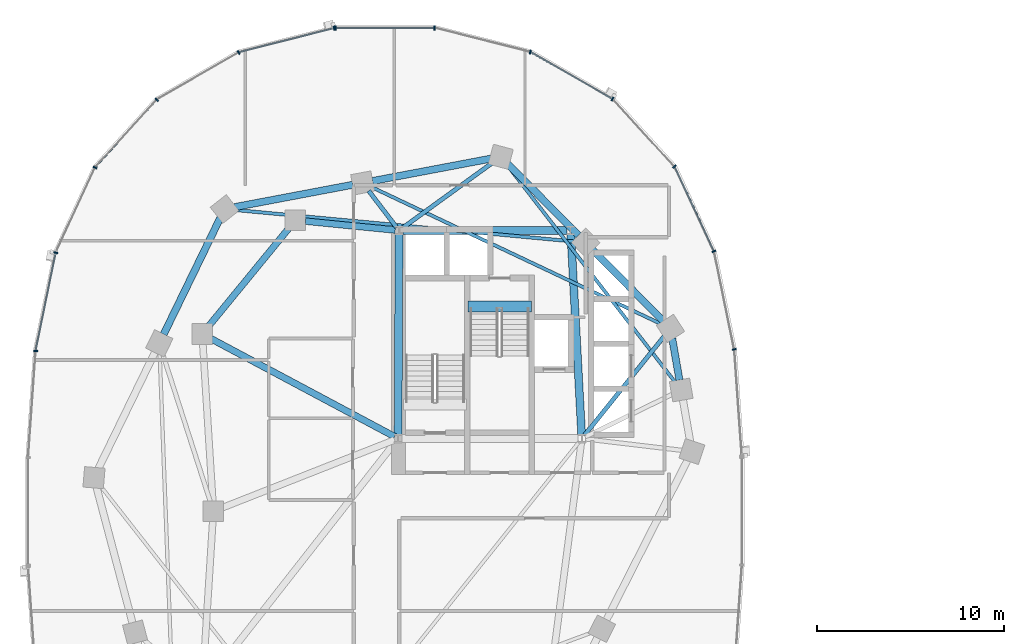
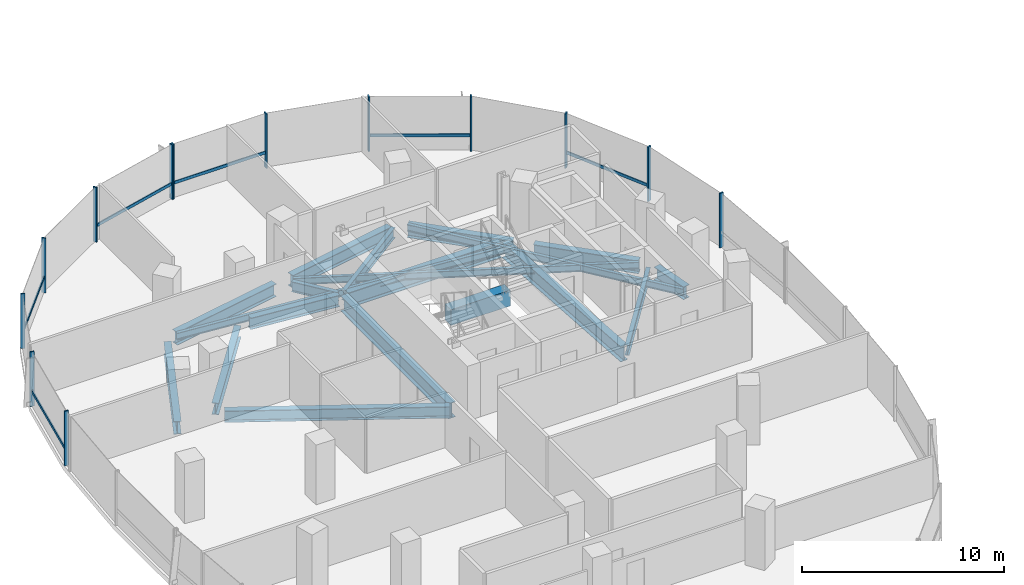
# One storey, part 4 of 21: 19 beams, 19 members, 2 elements without a shape of their own.
"""IFC4 building model written with IfcOpenShell, lengths in metres."""

from ifc_helpers import new_model, si_unit, direction, frame, origin, origin_2d, place, context, subcontext, project, spatial, rectangle, i_section, extrude, material, material_profile, profile_set, type_object, element, aggregate, save


model = new_model("IFC4")

# Units and contexts
model_context = context("Model", 3, precision=1e-05, world=origin(), true_north=direction((0.0, 1.0)))
body_context = subcontext(model_context, "Body", "Model", "MODEL_VIEW")
ifc_project = project(units=[si_unit("LENGTHUNIT", "METRE"), si_unit("AREAUNIT", "SQUARE_METRE"), si_unit("VOLUMEUNIT", "CUBIC_METRE"), si_unit("PLANEANGLEUNIT", "RADIAN"), si_unit("MASSUNIT", "GRAM", prefix="KILO"), si_unit("THERMODYNAMICTEMPERATUREUNIT", "KELVIN"), si_unit("POWERUNIT", "WATT")], contexts=[model_context])

# Site, building, storey
site_placement = place(None, origin())
site = spatial("IfcSite", under=ifc_project, at=site_placement, CompositionType="ELEMENT")
building_placement = place(site_placement, origin())
building = spatial("IfcBuilding", under=site, at=building_placement, Name="Cundina Bronze Exchange", CompositionType="ELEMENT")
storey_placement = place(building_placement, frame((0.0, 0.0, 121.39990234375)))
storey = spatial("IfcBuildingStorey", under=building, at=storey_placement, Name="L31", CompositionType="ELEMENT", Elevation=121.39990234375)

# Beams
ifc_material_1 = material(Name="Concrete C60/75", Category="concrete")
ifc_material_profile_1 = material_profile(ifc_material_1, rectangle(XDim=0.60009765625, YDim=0.949951171875, at=origin_2d()), Name="RC600X950", Category="concrete")
ifc_profile_set_1 = profile_set([ifc_material_profile_1], Name="Concrete C60/75")
beam_type_1 = type_object("IfcBeamType", Name="BM-COUP-RC950", PredefinedType="LINTEL", material=ifc_profile_set_1)
beam_1_placement = place(storey_placement, frame((-27.56005859375, 10.97998046875, -0.474853515625), z_axis=(1.0, 0.0, 0.0), x_axis=(0.0, 1.0, 0.0)))
element("IfcBeam", 1, at=beam_1_placement, inside=storey, type_object=beam_type_1, Name="L31 Stair W2 Landing Header Beam", PredefinedType="LINTEL", context=body_context, shape_type="SweptSolid", body=[
    extrude(rectangle(XDim=0.60009765625, YDim=0.949951171875, at=origin_2d()), origin(), (0.0, 0.0, 1.0), 3.400146484375),
])
ifc_material_2 = material(Name="Steel ASTM A992 Grade 50", Category="steel")
ifc_material_profile_2 = material_profile(ifc_material_2, i_section(OverallWidth=0.22998046875, OverallDepth=0.616943359375, WebThickness=0.01318359375, FlangeThickness=0.022216796875, FilletRadius=0.013916015625, at=origin_2d()), Name="W24X94", Category="steel")
ifc_profile_set_2 = profile_set([ifc_material_profile_2], Name="Steel ASTM A992 Grade 50")
beam_type_2 = type_object("IfcBeamType", Name="BM-FLR-W24B", PredefinedType="BEAM", material=ifc_profile_set_2)
beam_2_placement = place(storey_placement, frame((-21.322021484375, 4.058837890625, -0.6083984375), z_axis=(0.627106187843, 0.778933777139, 0.0), x_axis=(-0.778933777139, 0.627106187843, 0.0)))
element("IfcBeam", 2, at=beam_2_placement, inside=storey, type_object=beam_type_2, Name="L31 Leg W Radial Floor Beam 02", PredefinedType="BEAM", context=body_context, shape_type="SweptSolid", body=[
    extrude(i_section(OverallWidth=0.22998046875, OverallDepth=0.616943359375, WebThickness=0.01318359375, FlangeThickness=0.022216796875, FilletRadius=0.013916015625, at=origin_2d()), origin(), (0.0, 0.0, 1.0), 6.83251953125),
])
beam_3_placement = place(storey_placement, frame((-31.084716796875, 15.169677734375, -0.6083984375), z_axis=(0.809686957662, 0.586862020063, 0.0), x_axis=(-0.586862020063, 0.809686957662, 0.0)))
element("IfcBeam", 3, at=beam_3_placement, inside=storey, type_object=beam_type_2, Name="L31 Leg W Radial Floor Beam 04", PredefinedType="BEAM", context=body_context, shape_type="SweptSolid", body=[
    extrude(i_section(OverallWidth=0.22998046875, OverallDepth=0.616943359375, WebThickness=0.01318359375, FlangeThickness=0.022216796875, FilletRadius=0.013916015625, at=origin_2d()), origin(), (0.0, 0.0, 1.0), 5.98876953125),
])
beam_4_placement = place(storey_placement, frame((-31.373779296875, 15.2119140625, -0.6083984375), z_axis=(-0.607490490457, 0.79432695032, 0.0), x_axis=(-0.79432695032, -0.607490490457, 0.0)))
element("IfcBeam", 4, at=beam_4_placement, inside=storey, type_object=beam_type_2, Name="L31 Leg W Radial Floor Beam 05", PredefinedType="BEAM", context=body_context, shape_type="SweptSolid", body=[
    extrude(i_section(OverallWidth=0.22998046875, OverallDepth=0.616943359375, WebThickness=0.01318359375, FlangeThickness=0.022216796875, FilletRadius=0.013916015625, at=origin_2d()), origin(), (0.0, 0.0, 1.0), 2.46826171875),
])
ifc_material_profile_3 = material_profile(ifc_material_2, i_section(OverallWidth=0.178955078125, OverallDepth=0.409912109375, WebThickness=0.0087890625, FlangeThickness=0.014404296875, FilletRadius=0.010986328125, at=origin_2d()), Name="W16X45", Category="steel")
ifc_profile_set_3 = profile_set([ifc_material_profile_3], Name="Steel ASTM A992 Grade 50")
beam_type_3 = type_object("IfcBeamType", Name="BM-JST-W16", PredefinedType="JOIST", material=ifc_profile_set_3)
beam_5_placement = place(storey_placement, frame((-16.454345703125, 6.92529296875, -0.5048828125), z_axis=(-0.612065218806, 0.790807288742, 0.0), x_axis=(-0.790807288742, -0.612065218806, 0.0)))
element("IfcBeam", 5, at=beam_5_placement, inside=storey, type_object=beam_type_3, Name="L31 Leg W Lobe Floor Joist 01-04", PredefinedType="JOIST", context=body_context, shape_type="SweptSolid", body=[
    extrude(i_section(OverallWidth=0.178955078125, OverallDepth=0.409912109375, WebThickness=0.0087890625, FlangeThickness=0.014404296875, FilletRadius=0.010986328125, at=origin_2d()), origin(), (0.0, 0.0, 1.0), 14.73095703125),
])
beam_6_placement = place(storey_placement, frame((-17.186279296875, 10.02978515625, -0.5048828125), z_axis=(-0.904069270633, 0.427385954259, 0.0), x_axis=(-0.427385954259, -0.904069270633, 0.0)))
element("IfcBeam", 6, at=beam_6_placement, inside=storey, type_object=beam_type_3, Name="L31 Leg W Lobe Floor Joist 02-05", PredefinedType="JOIST", context=body_context, shape_type="SweptSolid", body=[
    extrude(i_section(OverallWidth=0.178955078125, OverallDepth=0.409912109375, WebThickness=0.0087890625, FlangeThickness=0.014404296875, FilletRadius=0.010986328125, at=origin_2d()), origin(), (0.0, 0.0, 1.0), 17.175048828125),
])
beam_7_placement = place(storey_placement, frame((-21.78564453125, 14.44970703125, -0.5048828125), z_axis=(-0.995700674022, 0.092629194921, 0.0), x_axis=(-0.092629194921, -0.995700674022, 0.0)))
element("IfcBeam", 7, at=beam_7_placement, inside=storey, type_object=beam_type_3, Name="L31 Leg W Lobe Floor Joist 03-06", PredefinedType="JOIST", context=body_context, shape_type="SweptSolid", body=[
    extrude(i_section(OverallWidth=0.178955078125, OverallDepth=0.409912109375, WebThickness=0.0087890625, FlangeThickness=0.014404296875, FilletRadius=0.010986328125, at=origin_2d()), origin(), (0.0, 0.0, 1.0), 18.357421875),
])
ifc_material_profile_4 = material_profile(ifc_material_2, i_section(OverallWidth=0.35498046875, OverallDepth=0.695068359375, WebThickness=0.015380859375, FlangeThickness=0.02490234375, FilletRadius=0.01806640625, at=origin_2d()), Name="W27X146", Category="steel")
ifc_profile_set_4 = profile_set([ifc_material_profile_4], Name="Steel ASTM A992 Grade 50")
beam_type_4 = type_object("IfcBeamType", Name="BM-RING-W27", PredefinedType="USERDEFINED", material=ifc_profile_set_4)
beam_8_placement = place(storey_placement, frame((-31.452880859375, 15.070068359375, -0.6474609375), z_axis=(-0.995126271817, 0.098608839051, 0.0), x_axis=(-0.098608839051, -0.995126271817, 0.0)))
element("IfcBeam", 8, at=beam_8_placement, inside=storey, type_object=beam_type_4, Name="L31 W Inner Structural Ring Girder 01", ObjectType="GIRDER", PredefinedType="USERDEFINED", context=body_context, shape_type="SweptSolid", body=[
    extrude(i_section(OverallWidth=0.35498046875, OverallDepth=0.695068359375, WebThickness=0.015380859375, FlangeThickness=0.02490234375, FilletRadius=0.01806640625, at=origin_2d()), origin(), (0.0, 0.0, 1.0), 4.83544921875),
])
beam_9_placement = place(storey_placement, frame((-37.14111328125, 15.183837890625, -0.6474609375), z_axis=(-0.633926549035, -0.773393257295, 0.0), x_axis=(0.773393257295, -0.633926549035, 0.0)))
element("IfcBeam", 9, at=beam_9_placement, inside=storey, type_object=beam_type_4, Name="L31 W Inner Structural Ring Girder 02", ObjectType="GIRDER", PredefinedType="USERDEFINED", context=body_context, shape_type="SweptSolid", body=[
    extrude(i_section(OverallWidth=0.35498046875, OverallDepth=0.695068359375, WebThickness=0.015380859375, FlangeThickness=0.02490234375, FilletRadius=0.01806640625, at=origin_2d()), origin(), (0.0, 0.0, 1.0), 6.811279296875),
])
beam_10_placement = place(storey_placement, frame((-31.47998046875, 3.99609375, -0.6474609375), z_axis=(-0.882354758239, 0.470584828286, 0.0), x_axis=(-0.470584828286, -0.882354758239, 0.0)))
element("IfcBeam", 10, at=beam_10_placement, inside=storey, type_object=beam_type_4, Name="L31 W Core-to-Waist Tie Beam 2", ObjectType="GIRDER", PredefinedType="USERDEFINED", context=body_context, shape_type="SweptSolid", body=[
    extrude(i_section(OverallWidth=0.35498046875, OverallDepth=0.695068359375, WebThickness=0.015380859375, FlangeThickness=0.02490234375, FilletRadius=0.01806640625, at=origin_2d()), origin(), (0.0, 0.0, 1.0), 11.157958984375),
])
ifc_material_profile_5 = material_profile(ifc_material_2, i_section(OverallWidth=0.381103515625, OverallDepth=0.77294921875, WebThickness=0.0166015625, FlangeThickness=0.027099609375, FilletRadius=0.01904296875, at=origin_2d()), Name="W30X173", Category="steel")
ifc_profile_set_5 = profile_set([ifc_material_profile_5], Name="Steel ASTM A992 Grade 50")
beam_type_5 = type_object("IfcBeamType", Name="BM-RING-W30", PredefinedType="USERDEFINED", material=ifc_profile_set_5)
beam_11_placement = place(storey_placement, frame((-16.21728515625, 7.030029296875, -0.6865234375), z_axis=(-0.171690078326, 0.985151012284, 0.0), x_axis=(-0.985151012284, -0.171690078326, 0.0)))
element("IfcBeam", 11, at=beam_11_placement, inside=storey, type_object=beam_type_5, Name="L31 W Perimeter Ring Girder 01", ObjectType="GIRDER", PredefinedType="USERDEFINED", context=body_context, shape_type="SweptSolid", body=[
    extrude(i_section(OverallWidth=0.381103515625, OverallDepth=0.77294921875, WebThickness=0.0166015625, FlangeThickness=0.027099609375, FilletRadius=0.01904296875, at=origin_2d()), origin(), (0.0, 0.0, 1.0), 2.273681640625),
])
for number, where, z_axis, x_axis, name in (
    (12, (-17.078369140625, 10.1826171875, -0.6865234375), (-0.703226342126, 0.7109660412, 0.0), (-0.7109660412, -0.703226342126, 0.0), "L31 W Perimeter Ring Girder 02"),
    (13, (-21.62841796875, 14.782470703125, -0.6865234375), (-0.703226342126, 0.7109660412, 0.0), (-0.7109660412, -0.703226342126, 0.0), "L31 W Perimeter Ring Girder 03"),
):
    element("IfcBeam", number, at=place(storey_placement, frame(where, z_axis=z_axis, x_axis=x_axis)), inside=storey, type_object=beam_type_5, Name=name, ObjectType="GIRDER", PredefinedType="USERDEFINED", context=body_context, shape_type="SweptSolid", body=[
        extrude(i_section(OverallWidth=0.381103515625, OverallDepth=0.77294921875, WebThickness=0.0166015625, FlangeThickness=0.027099609375, FilletRadius=0.01904296875, at=origin_2d()), origin(), (0.0, 0.0, 1.0), 5.39404296875),
    ])
for number, where, z_axis, x_axis, name in (
    (14, (-26.32861328125, 18.89990234375, -0.6865234375), (-0.98257117919, -0.185886733861, 0.0), (0.185886733861, -0.98257117919, 0.0), "L31 W Perimeter Ring Girder 04"),
    (15, (-33.728515625, 17.5, -0.6865234375), (-0.98257117919, -0.185886733861, 0.0), (0.185886733861, -0.98257117919, 0.0), "L31 W Perimeter Ring Girder 05"),
):
    element("IfcBeam", number, at=place(storey_placement, frame(where, z_axis=z_axis, x_axis=x_axis)), inside=storey, type_object=beam_type_5, Name=name, ObjectType="GIRDER", PredefinedType="USERDEFINED", context=body_context, shape_type="SweptSolid", body=[
        extrude(i_section(OverallWidth=0.381103515625, OverallDepth=0.77294921875, WebThickness=0.0166015625, FlangeThickness=0.027099609375, FilletRadius=0.01904296875, at=origin_2d()), origin(), (0.0, 0.0, 1.0), 6.455322265625),
    ])
beam_12_placement = place(storey_placement, frame((-40.835205078125, 15.716064453125, -0.6865234375), z_axis=(-0.437193894283, -0.899367276924, 0.0), x_axis=(0.899367276924, -0.437193894283, 0.0)))
element("IfcBeam", 16, at=beam_12_placement, inside=storey, type_object=beam_type_5, Name="L31 W Perimeter Ring Girder 06", ObjectType="GIRDER", PredefinedType="USERDEFINED", context=body_context, shape_type="SweptSolid", body=[
    extrude(i_section(OverallWidth=0.381103515625, OverallDepth=0.77294921875, WebThickness=0.0166015625, FlangeThickness=0.027099609375, FilletRadius=0.01904296875, at=origin_2d()), origin(), (0.0, 0.0, 1.0), 6.929443359375),
])
ifc_material_profile_6 = material_profile(ifc_material_2, i_section(OverallWidth=0.41796875, OverallDepth=0.927001953125, WebThickness=0.019287109375, FlangeThickness=0.031982421875, FilletRadius=0.02392578125, at=origin_2d()), Name="W36X231", Category="steel")
ifc_profile_set_6 = profile_set([ifc_material_profile_6], Name="Steel ASTM A992 Grade 50")
beam_type_6 = type_object("IfcBeamType", Name="BM-WRN-W36B", PredefinedType="USERDEFINED", material=ifc_profile_set_6)
beam_13_placement = place(storey_placement, frame((-21.4609375, 4.103759765625, -0.763427734375), z_axis=(-0.053739193498, 0.998555005537, 0.0), x_axis=(-0.998555005537, -0.053739193498, 0.0)))
element("IfcBeam", 17, at=beam_13_placement, inside=storey, type_object=beam_type_6, Name="L31 W Core Perimeter Tie Girder 2", ObjectType="GIRDER", PredefinedType="USERDEFINED", context=body_context, shape_type="SweptSolid", body=[
    extrude(i_section(OverallWidth=0.41796875, OverallDepth=0.927001953125, WebThickness=0.019287109375, FlangeThickness=0.031982421875, FilletRadius=0.02392578125, at=origin_2d()), origin(), (0.0, 0.0, 1.0), 10.758056640625),
])
beam_14_placement = place(storey_placement, frame((-22.25390625, 15.050048828125, -0.763427734375), z_axis=(-1.0, 0.0, 0.0), x_axis=(0.0, -1.0, 0.0)))
element("IfcBeam", 18, at=beam_14_placement, inside=storey, type_object=beam_type_6, Name="L31 W Core Perimeter Tie Girder 3", ObjectType="GIRDER", PredefinedType="USERDEFINED", context=body_context, shape_type="SweptSolid", body=[
    extrude(i_section(OverallWidth=0.41796875, OverallDepth=0.927001953125, WebThickness=0.019287109375, FlangeThickness=0.031982421875, FilletRadius=0.02392578125, at=origin_2d()), origin(), (0.0, 0.0, 1.0), 8.7919921875),
])
beam_15_placement = place(storey_placement, frame((-31.2509765625, 14.845947265625, -0.763427734375), z_axis=(-0.004477329608, -0.99998997671, 0.0), x_axis=(0.99998997671, -0.004477329608, 0.0)))
element("IfcBeam", 19, at=beam_15_placement, inside=storey, type_object=beam_type_6, Name="L31 W Core Perimeter Tie Girder 4", ObjectType="GIRDER", PredefinedType="USERDEFINED", context=body_context, shape_type="SweptSolid", body=[
    extrude(i_section(OverallWidth=0.41796875, OverallDepth=0.927001953125, WebThickness=0.019287109375, FlangeThickness=0.031982421875, FilletRadius=0.02392578125, at=origin_2d()), origin(), (0.0, 0.0, 1.0), 10.741943359375),
])

# Curtain wall, members
ifc_material_3 = material(Name="Anodised Bronze Aluminium 6063-T6", Category="aluminium")
curtain_wall_type = type_object("IfcCurtainWallType", Name="CWS-TRD-MID", PredefinedType="NOTDEFINED", material=ifc_material_3)
curtain_wall_1_placement = place(storey_placement, origin())
curtain_wall_1 = element("IfcCurtainWall", 20, at=curtain_wall_1_placement, inside=storey, type_object=curtain_wall_type, Name="L31 CW-03 Curtain Wall Run CWR-L31-W1", PredefinedType="NOTDEFINED")
ifc_material_profile_7 = material_profile(ifc_material_3, rectangle(XDim=0.074951171875, YDim=0.219970703125, at=origin_2d()), Name="AL75X220", Category="aluminium")
ifc_profile_set_7 = profile_set([ifc_material_profile_7], Name="Anodised Bronze Aluminium 6063-T6")
member_type_1 = type_object("IfcMemberType", Name="CWM-MUL-220", PredefinedType="MULLION", material=ifc_profile_set_7)
member_1_placement = place(storey_placement, frame((-13.282958984375, 8.67822265625, 0.0), z_axis=(0.0, 0.0, 1.0), x_axis=(-0.201419845156, 0.979505000486, 0.0)))
member_1 = element("IfcMember", 21, at=member_1_placement, type_object=member_type_1, Name="CW-03 Mullion 2", PredefinedType="MULLION", context=body_context, shape_type="SweptSolid", body=[
    extrude(rectangle(XDim=0.074951171875, YDim=0.219970703125, at=origin_2d()), origin(), (0.0, 0.0, 1.0), 3.300048828125),
])
member_2_placement = place(storey_placement, frame((-14.3720703125, 13.931884765625, 0.0), z_axis=(0.0, 0.0, 1.0), x_axis=(-0.42087749791, 0.907117485088, 0.0)))
member_2 = element("IfcMember", 22, at=member_2_placement, type_object=member_type_1, Name="CW-03 Mullion 3", PredefinedType="MULLION", context=body_context, shape_type="SweptSolid", body=[
    extrude(rectangle(XDim=0.074951171875, YDim=0.219970703125, at=origin_2d()), origin(), (0.0, 0.0, 1.0), 3.300048828125),
])
member_3_placement = place(storey_placement, frame((-16.491455078125, 18.47705078125, 0.0), z_axis=(0.0, 0.0, 1.0), x_axis=(-0.674302387584, 0.738455340626, 0.0)))
member_3 = element("IfcMember", 23, at=member_3_placement, type_object=member_type_1, Name="CW-03 Mullion 4", PredefinedType="MULLION", context=body_context, shape_type="SweptSolid", body=[
    extrude(rectangle(XDim=0.074951171875, YDim=0.219970703125, at=origin_2d()), origin(), (0.0, 0.0, 1.0), 3.300048828125),
])
member_4_placement = place(storey_placement, frame((-19.810302734375, 22.097412109375, 0.0), z_axis=(0.0, 0.0, 1.0), x_axis=(-0.867070701164, 0.498185105339, 0.0)))
member_4 = element("IfcMember", 24, at=member_4_placement, type_object=member_type_1, Name="CW-03 Mullion 5", PredefinedType="MULLION", context=body_context, shape_type="SweptSolid", body=[
    extrude(rectangle(XDim=0.074951171875, YDim=0.219970703125, at=origin_2d()), origin(), (0.0, 0.0, 1.0), 3.300048828125),
])
member_5_placement = place(storey_placement, frame((-24.21484375, 24.61669921875, 0.0), z_axis=(0.0, 0.0, 1.0), x_axis=(-0.969488149345, 0.245138182011, 0.0)))
member_5 = element("IfcMember", 25, at=member_5_placement, type_object=member_type_1, Name="CW-03 Mullion 6", PredefinedType="MULLION", context=body_context, shape_type="SweptSolid", body=[
    extrude(rectangle(XDim=0.074951171875, YDim=0.219970703125, at=origin_2d()), origin(), (0.0, 0.0, 1.0), 3.300048828125),
])
member_6_placement = place(storey_placement, frame((-29.345458984375, 25.905029296875, 0.0), z_axis=(0.0, 0.0, 1.0), x_axis=(-1.0, 0.0, 0.0)))
member_6 = element("IfcMember", 26, at=member_6_placement, type_object=member_type_1, Name="CW-03 Mullion 7", PredefinedType="MULLION", context=body_context, shape_type="SweptSolid", body=[
    extrude(rectangle(XDim=0.074951171875, YDim=0.219970703125, at=origin_2d()), origin(), (0.0, 0.0, 1.0), 3.300048828125),
])
member_7_placement = place(storey_placement, frame((-34.654541015625, 25.905029296875, 0.0), z_axis=(0.0, 0.0, 1.0), x_axis=(-1.0, 0.0, 0.0)))
member_7 = element("IfcMember", 27, at=member_7_placement, type_object=member_type_1, Name="CW-03 End Mullion", PredefinedType="MULLION", context=body_context, shape_type="SweptSolid", body=[
    extrude(rectangle(XDim=0.074951171875, YDim=0.219970703125, at=origin_2d()), origin(), (0.0, 0.0, 1.0), 3.300048828125),
])

curtain_wall_2_placement = place(storey_placement, origin())
curtain_wall_2 = element("IfcCurtainWall", 28, at=curtain_wall_2_placement, inside=storey, type_object=curtain_wall_type, Name="L31 CW-03 Curtain Wall Run CWR-L31-W2", PredefinedType="NOTDEFINED")
member_8_placement = place(storey_placement, frame((-34.72607421875, 25.89599609375, 0.0), z_axis=(0.0, 0.0, 1.0), x_axis=(-0.969488149345, -0.245138182011, 0.0)))
member_8 = element("IfcMember", 29, at=member_8_placement, type_object=member_type_1, Name="CW-03 Mullion 1", PredefinedType="MULLION", context=body_context, shape_type="SweptSolid", body=[
    extrude(rectangle(XDim=0.074951171875, YDim=0.219970703125, at=origin_2d()), origin(), (0.0, 0.0, 1.0), 3.300048828125),
])
member_9_placement = place(storey_placement, frame((-39.848876953125, 24.591064453125, 0.0), z_axis=(0.0, 0.0, 1.0), x_axis=(-0.867070701164, -0.498185105339, 0.0)))
member_9 = element("IfcMember", 30, at=member_9_placement, type_object=member_type_1, Name="CW-03 Mullion 2", PredefinedType="MULLION", context=body_context, shape_type="SweptSolid", body=[
    extrude(rectangle(XDim=0.074951171875, YDim=0.219970703125, at=origin_2d()), origin(), (0.0, 0.0, 1.0), 3.300048828125),
])
member_10_placement = place(storey_placement, frame((-44.239501953125, 22.0576171875, 0.0), z_axis=(0.0, 0.0, 1.0), x_axis=(-0.674302387584, -0.738455340626, 0.0)))
member_10 = element("IfcMember", 31, at=member_10_placement, type_object=member_type_1, Name="CW-03 Mullion 3", PredefinedType="MULLION", context=body_context, shape_type="SweptSolid", body=[
    extrude(rectangle(XDim=0.074951171875, YDim=0.219970703125, at=origin_2d()), origin(), (0.0, 0.0, 1.0), 3.300048828125),
])
member_11_placement = place(storey_placement, frame((-47.544189453125, 18.423583984375, 0.0), z_axis=(0.0, 0.0, 1.0), x_axis=(-0.42087749791, -0.907117485088, 0.0)))
member_11 = element("IfcMember", 32, at=member_11_placement, type_object=member_type_1, Name="CW-03 Mullion 4", PredefinedType="MULLION", context=body_context, shape_type="SweptSolid", body=[
    extrude(rectangle(XDim=0.074951171875, YDim=0.219970703125, at=origin_2d()), origin(), (0.0, 0.0, 1.0), 3.300048828125),
])
member_12_placement = place(storey_placement, frame((-49.651123046875, 13.861328125, 0.0), z_axis=(0.0, 0.0, 1.0), x_axis=(-0.201419845156, -0.979505000486, 0.0)))
member_12 = element("IfcMember", 33, at=member_12_placement, type_object=member_type_1, Name="CW-03 Mullion 5", PredefinedType="MULLION", context=body_context, shape_type="SweptSolid", body=[
    extrude(rectangle(XDim=0.074951171875, YDim=0.219970703125, at=origin_2d()), origin(), (0.0, 0.0, 1.0), 3.300048828125),
])
member_13_placement = place(storey_placement, frame((-50.72900390625, 8.591552734375, 0.0), z_axis=(0.0, 0.0, 1.0), x_axis=(-0.070278787473, -0.997527389113, 0.0)))
member_13 = element("IfcMember", 34, at=member_13_placement, type_object=member_type_1, Name="CW-03 Mullion 6", PredefinedType="MULLION", context=body_context, shape_type="SweptSolid", body=[
    extrude(rectangle(XDim=0.074951171875, YDim=0.219970703125, at=origin_2d()), origin(), (0.0, 0.0, 1.0), 3.300048828125),
])

# Member
ifc_material_profile_8 = material_profile(ifc_material_3, rectangle(XDim=0.070068359375, YDim=0.179931640625, at=origin_2d()), Name="AL70X180", Category="aluminium")
ifc_profile_set_8 = profile_set([ifc_material_profile_8], Name="Anodised Bronze Aluminium 6063-T6")
member_type_2 = type_object("IfcMemberType", Name="CWM-TRN-180", PredefinedType="USERDEFINED", material=ifc_profile_set_8)
member_14_placement = place(storey_placement, frame((-14.389404296875, 13.96923828125, 0.920166015625), z_axis=(-0.420811422796, 0.907148139195, 0.0), x_axis=(-0.907148139195, -0.420811422796, 0.0)))
member_14 = element("IfcMember", 35, at=member_14_placement, type_object=member_type_2, Name="CW-03 Spandrel Transom 3", ObjectType="TRANSOM", PredefinedType="USERDEFINED", context=body_context, shape_type="SweptSolid", body=[
    extrude(rectangle(XDim=0.070068359375, YDim=0.179931640625, at=origin_2d()), origin(), (0.0, 0.0, 1.0), 4.95166015625),
])

member_15_placement = place(storey_placement, frame((-19.845947265625, 22.117919921875, 0.920166015625), z_axis=(-0.867097475651, 0.498138502546, 0.0), x_axis=(-0.498138502546, -0.867097475651, 0.0)))
member_15 = element("IfcMember", 36, at=member_15_placement, type_object=member_type_2, Name="CW-03 Spandrel Transom 5", ObjectType="TRANSOM", PredefinedType="USERDEFINED", context=body_context, shape_type="SweptSolid", body=[
    extrude(rectangle(XDim=0.070068359375, YDim=0.179931640625, at=origin_2d()), origin(), (0.0, 0.0, 1.0), 5.00634765625),
])

member_16_placement = place(storey_placement, frame((-29.38671875, 25.905029296875, 0.920166015625), z_axis=(-1.0, 0.0, 0.0), x_axis=(0.0, -1.0, 0.0)))
member_16 = element("IfcMember", 37, at=member_16_placement, type_object=member_type_2, Name="CW-03 Spandrel Transom 7", ObjectType="TRANSOM", PredefinedType="USERDEFINED", context=body_context, shape_type="SweptSolid", body=[
    extrude(rectangle(XDim=0.070068359375, YDim=0.179931640625, at=origin_2d()), origin(), (0.0, 0.0, 1.0), 5.2265625),
])

aggregate(curtain_wall_1, [member_1, member_2, member_14, member_3, member_4, member_15, member_5, member_6, member_7, member_16])

member_17_placement = place(storey_placement, frame((-34.76611328125, 25.885986328125, 0.920166015625), z_axis=(-0.969483968866, -0.245154714644, 0.0), x_axis=(0.245154714644, -0.969483968866, 0.0)))
member_17 = element("IfcMember", 38, at=member_17_placement, type_object=member_type_2, Name="CW-03 Spandrel Transom 1", ObjectType="TRANSOM", PredefinedType="USERDEFINED", context=body_context, shape_type="SweptSolid", body=[
    extrude(rectangle(XDim=0.070068359375, YDim=0.179931640625, at=origin_2d()), origin(), (0.0, 0.0, 1.0), 5.21826171875),
])

member_18_placement = place(storey_placement, frame((-44.26708984375, 22.027099609375, 0.920166015625), z_axis=(-0.674302794847, -0.738454968743, 0.0), x_axis=(0.738454968743, -0.674302794847, 0.0)))
member_18 = element("IfcMember", 39, at=member_18_placement, type_object=member_type_2, Name="CW-03 Spandrel Transom 3", ObjectType="TRANSOM", PredefinedType="USERDEFINED", context=body_context, shape_type="SweptSolid", body=[
    extrude(rectangle(XDim=0.070068359375, YDim=0.179931640625, at=origin_2d()), origin(), (0.0, 0.0, 1.0), 4.848388671875),
])

member_19_placement = place(storey_placement, frame((-49.659423828125, 13.821044921875, 0.920166015625), z_axis=(-0.201427712708, -0.979503382615, 0.0), x_axis=(0.979503382615, -0.201427712708, 0.0)))
member_19 = element("IfcMember", 40, at=member_19_placement, type_object=member_type_2, Name="CW-03 Spandrel Transom 5", ObjectType="TRANSOM", PredefinedType="USERDEFINED", context=body_context, shape_type="SweptSolid", body=[
    extrude(rectangle(XDim=0.070068359375, YDim=0.179931640625, at=origin_2d()), origin(), (0.0, 0.0, 1.0), 5.291748046875),
])

aggregate(curtain_wall_2, [member_8, member_17, member_9, member_10, member_18, member_11, member_12, member_19, member_13])

save(model, "model.ifc")
